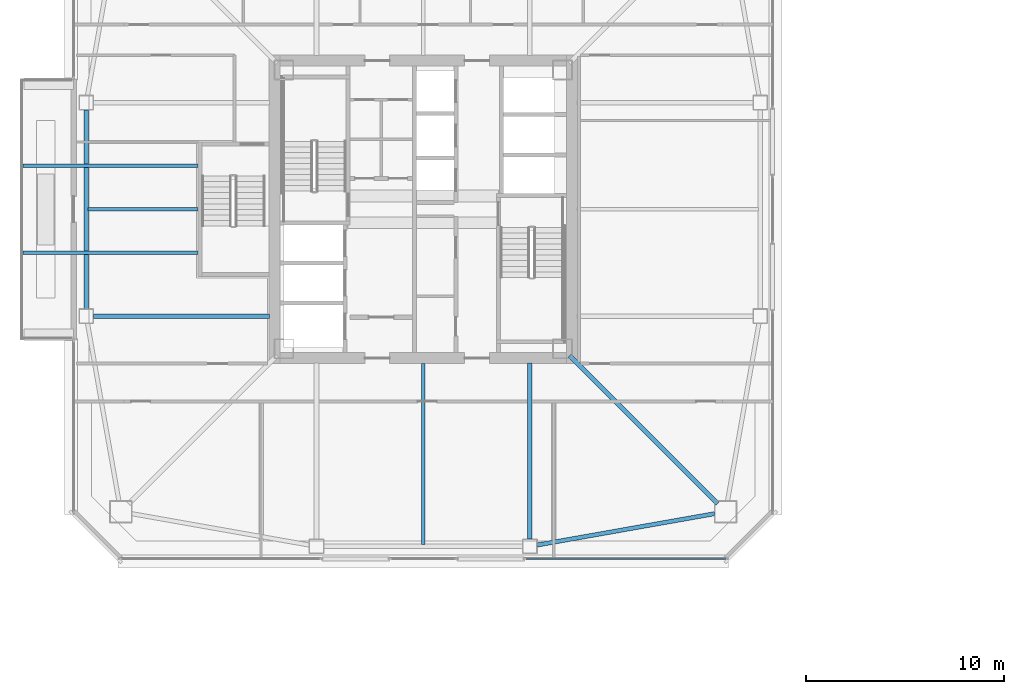
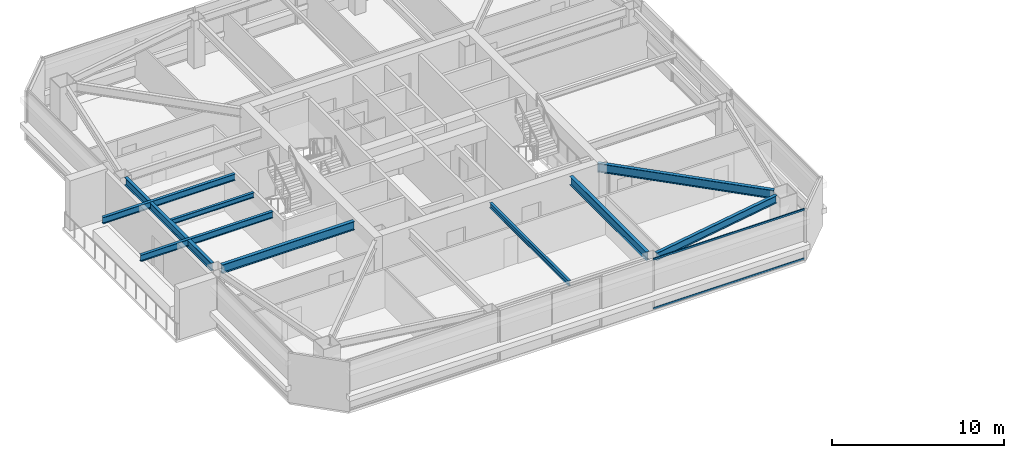
# One storey, part 6 of 43: 9 beams, 2 members, 1 element without a shape of its own.
"""IFC4 building model written with IfcOpenShell, lengths in metres."""

from ifc_helpers import new_model, si_unit, direction, frame, origin, origin_2d, place, context, subcontext, project, spatial, hollow_rectangle, i_section, extrude, material, material_profile, profile_set, type_object, element, aggregate, save


model = new_model("IFC4")

# Units and contexts
model_context = context("Model", 3, precision=1e-05, world=origin(), true_north=direction((0.0, 1.0)))
body_context = subcontext(model_context, "Body", "Model", "MODEL_VIEW")
ifc_project = project(units=[si_unit("LENGTHUNIT", "METRE"), si_unit("AREAUNIT", "SQUARE_METRE"), si_unit("VOLUMEUNIT", "CUBIC_METRE"), si_unit("PLANEANGLEUNIT", "RADIAN"), si_unit("MASSUNIT", "GRAM", prefix="KILO")], contexts=[model_context])

# Site, building, storey
site_placement = place(None, origin())
site = spatial("IfcSite", under=ifc_project, at=site_placement, CompositionType="ELEMENT")
building_placement = place(site_placement, origin())
building = spatial("IfcBuilding", under=site, at=building_placement, Name="Tashvorn Skyway Center", CompositionType="ELEMENT")
storey_placement = place(building_placement, frame((0.0, 0.0, 188.949951171875)))
storey = spatial("IfcBuildingStorey", under=building, at=storey_placement, Name="L51", CompositionType="ELEMENT", Elevation=188.949951171875)

# Beams
ifc_material_1 = material(Name="Steel ASTM A992 Grade 50", Category="steel")
ifc_material_profile_1 = material_profile(ifc_material_1, i_section(OverallWidth=0.22998046875, OverallDepth=0.616943359375, WebThickness=0.01318359375, FlangeThickness=0.022216796875, at=origin_2d()), Name="W24X94")
ifc_profile_set_1 = profile_set([ifc_material_profile_1], Name="Steel ASTM A992 Grade 50")
beam_type_1 = type_object("IfcBeamType", Name="BM-BEAM-W24X94", PredefinedType="BEAM", material=ifc_profile_set_1)
beam_1_placement = place(storey_placement, frame((56.89697265625, 17.10302734375, 3.0615234375), z_axis=(-0.707106781187, 0.707106781187, 0.0), x_axis=(-0.707106781187, -0.707106781187, 0.0)))
element("IfcBeam", 1, at=beam_1_placement, inside=storey, type_object=beam_type_1, Name="Tower 1 L51 Primary Floor Girder MC-SE", PredefinedType="BEAM", context=body_context, shape_type="SweptSolid", body=[
    extrude(i_section(OverallWidth=0.22998046875, OverallDepth=0.616943359375, WebThickness=0.01318359375, FlangeThickness=0.022216796875, at=origin_2d()), origin(), (0.0, 0.0, 1.0), 10.6025390625),
])
for number, where, z_axis, x_axis, name in (
    (2, (47.39990234375, 15.320068359375, 3.0615234375), (0.0, 1.0, 0.0), (-1.0, 0.0, 0.0), "Tower 1 L51 Primary Floor Girder FC-S2"),
    (3, (25.320068359375, 26.60009765625, 3.0615234375), (1.0, 0.0, 0.0), (0.0, 1.0, 0.0), "Tower 1 L51 Primary Floor Girder FC-W2"),
):
    element("IfcBeam", number, at=place(storey_placement, frame(where, z_axis=z_axis, x_axis=x_axis)), inside=storey, type_object=beam_type_1, Name=name, PredefinedType="BEAM", context=body_context, shape_type="SweptSolid", body=[
        extrude(i_section(OverallWidth=0.22998046875, OverallDepth=0.616943359375, WebThickness=0.01318359375, FlangeThickness=0.022216796875, at=origin_2d()), origin(), (0.0, 0.0, 1.0), 8.89990234375),
    ])
ifc_material_profile_2 = material_profile(ifc_material_1, i_section(OverallWidth=0.1708984375, OverallDepth=0.35498046875, WebThickness=0.007080078125, FlangeThickness=0.01171875, at=origin_2d()), Name="W14X34")
ifc_profile_set_2 = profile_set([ifc_material_profile_2], Name="Steel ASTM A992 Grade 50")
beam_type_2 = type_object("IfcBeamType", Name="BM-JOIST-W14X34", PredefinedType="JOIST", material=ifc_profile_set_2)
beam_2_placement = place(storey_placement, frame((42.0, 24.2099609375, 3.192626953125), z_axis=(0.0, -1.0, 0.0), x_axis=(1.0, 0.0, 0.0)))
element("IfcBeam", 4, at=beam_2_placement, inside=storey, type_object=beam_type_2, Name="Tower 1 L51 Secondary Composite Joist JS", PredefinedType="JOIST", context=body_context, shape_type="SweptSolid", body=[
    extrude(i_section(OverallWidth=0.1708984375, OverallDepth=0.35498046875, WebThickness=0.007080078125, FlangeThickness=0.01171875, at=origin_2d()), origin(), (0.0, 0.0, 1.0), 9.162353515625),
])
beam_3_placement = place(storey_placement, frame((30.610107421875, 32.0, 3.192626953125), z_axis=(-1.0, 0.0, 0.0), x_axis=(0.0, -1.0, 0.0)))
element("IfcBeam", 5, at=beam_3_placement, inside=storey, type_object=beam_type_2, Name="Tower 1 L51 Secondary Composite Joist JW", PredefinedType="JOIST", context=body_context, shape_type="SweptSolid", body=[
    extrude(i_section(OverallWidth=0.1708984375, OverallDepth=0.35498046875, WebThickness=0.007080078125, FlangeThickness=0.01171875, at=origin_2d()), origin(), (0.0, 0.0, 1.0), 5.5625),
])
ifc_material_profile_3 = material_profile(ifc_material_1, i_section(OverallWidth=0.19091796875, OverallDepth=0.4599609375, WebThickness=0.010009765625, FlangeThickness=0.01611328125, at=origin_2d()), Name="W18X55")
ifc_profile_set_3 = profile_set([ifc_material_profile_3], Name="Steel ASTM A992 Grade 50")
beam_type_3 = type_object("IfcBeamType", Name="BM-JOIST-W18X55", PredefinedType="JOIST", material=ifc_profile_set_3)
for number, where, z_axis, x_axis, name in (
    (6, (30.610107421875, 29.800048828125, 3.14013671875), (-1.0, 0.0, 0.0), (0.0, -1.0, 0.0), "Tower 1 L52 Terrace Cantilever Outlooker 1"),
    (7, (30.610107421875, 34.199951171875, 3.14013671875), (-1.0, 0.0, 0.0), (0.0, -1.0, 0.0), "Tower 1 L52 Terrace Cantilever Outlooker 2"),
):
    element("IfcBeam", number, at=place(storey_placement, frame(where, z_axis=z_axis, x_axis=x_axis)), inside=storey, type_object=beam_type_3, Name=name, PredefinedType="JOIST", context=body_context, shape_type="SweptSolid", body=[
        extrude(i_section(OverallWidth=0.19091796875, OverallDepth=0.4599609375, WebThickness=0.010009765625, FlangeThickness=0.01611328125, at=origin_2d()), origin(), (0.0, 0.0, 1.0), 8.860107421875),
    ])
ifc_material_profile_4 = material_profile(ifc_material_1, i_section(OverallWidth=0.2109375, OverallDepth=0.5390625, WebThickness=0.01171875, FlangeThickness=0.018798828125, at=origin_2d()), Name="W21X73")
ifc_profile_set_4 = profile_set([ifc_material_profile_4], Name="Steel ASTM A992 Grade 50")
beam_type_4 = type_object("IfcBeamType", Name="BM-SPANDREL-W21X73", PredefinedType="SPANDREL", material=ifc_profile_set_4)
beam_4_placement = place(storey_placement, frame((47.764404296875, 15.014404296875, 3.1005859375), z_axis=(0.984732545667, 0.174074160933, 0.0), x_axis=(-0.174074160933, 0.984732545667, 0.0)))
element("IfcBeam", 8, at=beam_4_placement, inside=storey, type_object=beam_type_4, Name="Tower 1 L51 Spandrel Beam 03", PredefinedType="SPANDREL", context=body_context, shape_type="SweptSolid", body=[
    extrude(i_section(OverallWidth=0.2109375, OverallDepth=0.5390625, WebThickness=0.01171875, FlangeThickness=0.018798828125, at=origin_2d()), origin(), (0.0, 0.0, 1.0), 9.113525390625),
])
beam_5_placement = place(storey_placement, frame((24.949951171875, 37.030029296875, 3.1005859375), z_axis=(0.0, -1.0, 0.0), x_axis=(1.0, 0.0, 0.0)))
element("IfcBeam", 9, at=beam_5_placement, inside=storey, type_object=beam_type_4, Name="Tower 1 L51 Spandrel Beam 11", PredefinedType="SPANDREL", context=body_context, shape_type="SweptSolid", body=[
    extrude(i_section(OverallWidth=0.2109375, OverallDepth=0.5390625, WebThickness=0.01171875, FlangeThickness=0.018798828125, at=origin_2d()), origin(), (0.0, 0.0, 1.0), 10.06005859375),
])

# Curtain wall, members
ifc_material_2 = material(Name="Thermally broken bronze-anodized aluminium 6063-T6", Category="aluminium")
curtain_wall_type = type_object("IfcCurtainWallType", Name="CW-CW-Z4", PredefinedType="NOTDEFINED", material=ifc_material_2)
curtain_wall_placement = place(storey_placement, origin())
curtain_wall = element("IfcCurtainWall", 10, at=curtain_wall_placement, inside=storey, type_object=curtain_wall_type, Name="Tower 1 L51 South Unitised Curtain Wall Glazing Group 1", PredefinedType="NOTDEFINED")
ifc_material_profile_5 = material_profile(ifc_material_2, hollow_rectangle(XDim=0.070068359375, YDim=0.1298828125, WallThickness=0.00390625, at=origin_2d()), Name="ALU-TRAN-70x130")
ifc_profile_set_5 = profile_set([ifc_material_profile_5], Name="Thermally broken bronze-anodized aluminium 6063-T6")
member_type = type_object("IfcMemberType", Name="CWT-CW-Z4", PredefinedType="USERDEFINED", material=ifc_profile_set_5)
member_1_placement = place(storey_placement, frame((57.31005859375, 14.320068359375, 0.03515625), z_axis=(-1.0, 0.0, 0.0), x_axis=(0.0, -1.0, 0.0)))
member_1 = element("IfcMember", 11, at=member_1_placement, type_object=member_type, Name="CW-Z4 transom 1.1", ObjectType="TRANSOM", PredefinedType="USERDEFINED", context=body_context, shape_type="SweptSolid", body=[
    extrude(hollow_rectangle(XDim=0.070068359375, YDim=0.1298828125, WallThickness=0.00390625, at=origin_2d()), origin(), (0.0, 0.0, 1.0), 10.11328125),
])
member_2_placement = place(storey_placement, frame((57.31005859375, 14.320068359375, 3.51513671875), z_axis=(-1.0, 0.0, 0.0), x_axis=(0.0, -1.0, 0.0)))
member_2 = element("IfcMember", 12, at=member_2_placement, type_object=member_type, Name="CW-Z4 transom 1.2", ObjectType="TRANSOM", PredefinedType="USERDEFINED", context=body_context, shape_type="SweptSolid", body=[
    extrude(hollow_rectangle(XDim=0.070068359375, YDim=0.1298828125, WallThickness=0.00390625, at=origin_2d()), origin(), (0.0, 0.0, 1.0), 10.11328125),
])
aggregate(curtain_wall, [member_1, member_2])

save(model, "model.ifc")
